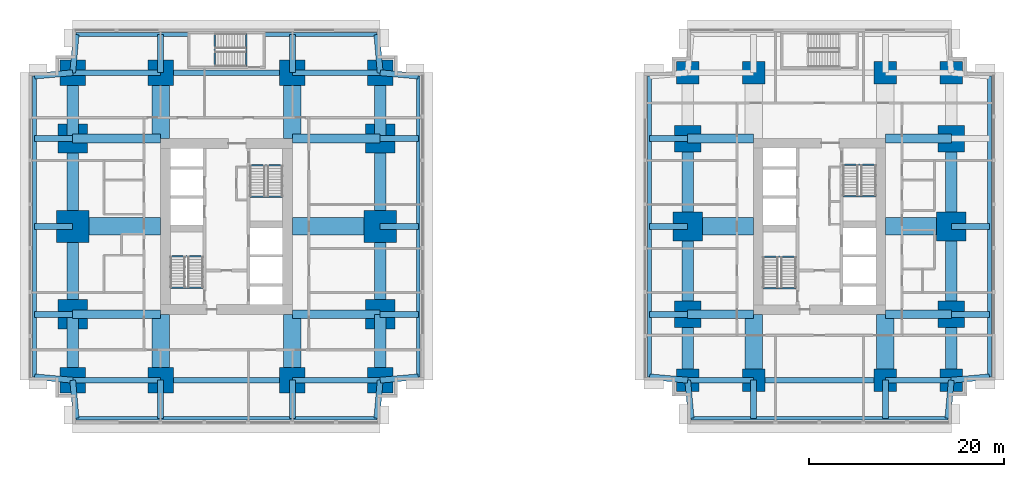
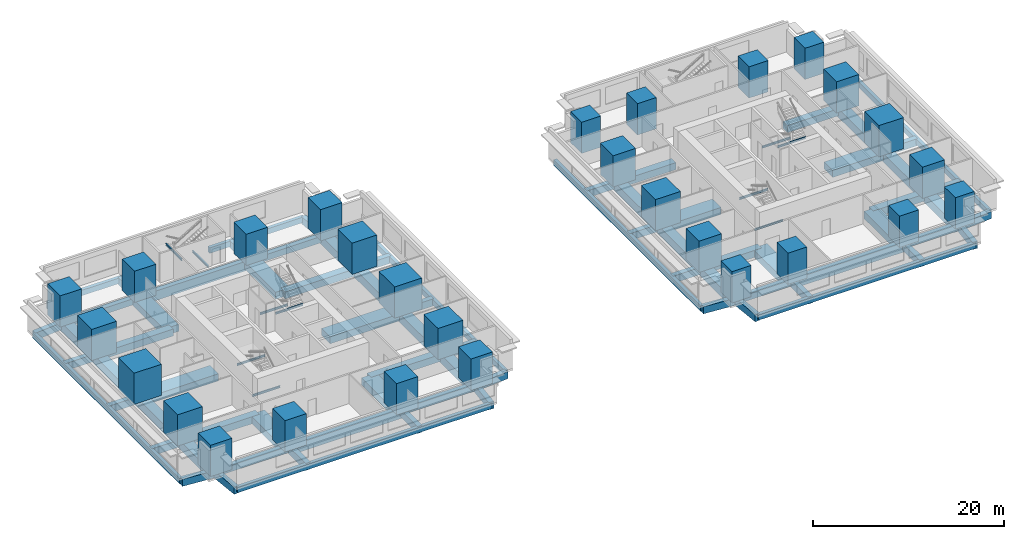
# One storey, part 1 of 11: 88 beams, 28 columns.
"""IFC4 building model written with IfcOpenShell, lengths in metres."""

from ifc_helpers import new_model, si_unit, direction, frame, origin, origin_2d, place, context, subcontext, project, spatial, rectangle, i_section, extrude, material, material_profile, profile_set, type_object, element, save


model = new_model("IFC4")

# Units and contexts
model_context = context("Model", 3, precision=1e-05, world=origin(), true_north=direction((0.0, 1.0)))
body_context = subcontext(model_context, "Body", "Model", "MODEL_VIEW")
ifc_project = project(units=[si_unit("LENGTHUNIT", "METRE"), si_unit("AREAUNIT", "SQUARE_METRE"), si_unit("VOLUMEUNIT", "CUBIC_METRE"), si_unit("PLANEANGLEUNIT", "RADIAN"), si_unit("MASSUNIT", "GRAM", prefix="KILO")], contexts=[model_context])

# Site, building, storey
site_placement = place(None, origin())
site = spatial("IfcSite", under=ifc_project, at=site_placement, CompositionType="ELEMENT")
building_placement = place(site_placement, origin())
building = spatial("IfcBuilding", under=site, at=building_placement, Name="Namib Vertical Campus", CompositionType="ELEMENT")
storey_placement = place(building_placement, frame((0.0, 0.0, 33.0)))
storey = spatial("IfcBuildingStorey", under=building, at=storey_placement, Name="L07", CompositionType="ELEMENT", Elevation=33.0)

# Columns
ifc_material_1 = material(Name="Concrete C60/75", Category="concrete")
ifc_material_profile_1 = material_profile(ifc_material_1, rectangle(XDim=2.300048828125, YDim=2.300048828125, at=origin_2d()))
ifc_profile_set_1 = profile_set([ifc_material_profile_1], Name="Concrete C60/75")
column_type_1 = type_object("IfcColumnType", Name="Column RC 2300x2300", PredefinedType="COLUMN", material=ifc_profile_set_1)
for number, where, z_axis, x_axis, name in (
    (1, (67.5, 4.5, 0.0), (0.0, 0.0, 1.0), (1.0, 0.0, 0.0), "Column C230 L07"),
    (2, (74.25, 4.5, 0.0), (0.0, 0.0, 1.0), (1.0, 0.0, 0.0), "Column C230 L07"),
    (3, (87.75, 4.5, 0.0), (0.0, 0.0, 1.0), (1.0, 0.0, 0.0), "Column C230 L07"),
    (4, (94.5, 4.5, 0.0), (0.0, 0.0, 1.0), (1.0, 0.0, 0.0), "Column C230 L07"),
    (5, (67.5, 36.0, 0.0), (0.0, 0.0, 1.0), (1.0, 0.0, 0.0), "Column C230 L07"),
    (6, (74.25, 36.0, 0.0), (0.0, 0.0, 1.0), (1.0, 0.0, 0.0), "Column C230 L07"),
    (7, (87.75, 36.0, 0.0), (0.0, 0.0, 1.0), (1.0, 0.0, 0.0), "Column C230 L07"),
    (8, (94.5, 36.0, 0.0), (0.0, 0.0, 1.0), (1.0, 0.0, 0.0), "Column C230 L07"),
):
    element("IfcColumn", number, at=place(storey_placement, frame(where, z_axis=z_axis, x_axis=x_axis)), inside=storey, type_object=column_type_1, Name=name, PredefinedType="COLUMN", context=body_context, shape_type="SweptSolid", body=[
        extrude(rectangle(XDim=2.300048828125, YDim=2.300048828125, at=origin_2d()), origin(), (0.0, 0.0, 1.0), 4.0),
    ])
ifc_material_2 = material(Name="Concrete C60/75", Category="concrete")
ifc_material_profile_2 = material_profile(ifc_material_2, rectangle(XDim=2.60009765625, YDim=2.60009765625, at=origin_2d()))
ifc_profile_set_2 = profile_set([ifc_material_profile_2], Name="Concrete C60/75")
column_type_2 = type_object("IfcColumnType", Name="Column RC 2600x2600", PredefinedType="COLUMN", material=ifc_profile_set_2)
for number, where, z_axis, x_axis, name in (
    (9, (4.5, 4.5, 0.0), (0.0, 0.0, 1.0), (1.0, 0.0, 0.0), "Column C260 L07"),
    (10, (13.5, 4.5, 0.0), (0.0, 0.0, 1.0), (1.0, 0.0, 0.0), "Column C260 L07"),
    (11, (27.0, 4.5, 0.0), (0.0, 0.0, 1.0), (1.0, 0.0, 0.0), "Column C260 L07"),
    (12, (36.0, 4.5, 0.0), (0.0, 0.0, 1.0), (1.0, 0.0, 0.0), "Column C260 L07"),
    (13, (4.5, 36.0, 0.0), (0.0, 0.0, 1.0), (1.0, 0.0, 0.0), "Column C260 L07"),
    (14, (13.5, 36.0, 0.0), (0.0, 0.0, 1.0), (1.0, 0.0, 0.0), "Column C260 L07"),
    (15, (27.0, 36.0, 0.0), (0.0, 0.0, 1.0), (1.0, 0.0, 0.0), "Column C260 L07"),
    (16, (36.0, 36.0, 0.0), (0.0, 0.0, 1.0), (1.0, 0.0, 0.0), "Column C260 L07"),
):
    element("IfcColumn", number, at=place(storey_placement, frame(where, z_axis=z_axis, x_axis=x_axis)), inside=storey, type_object=column_type_2, Name=name, PredefinedType="COLUMN", context=body_context, shape_type="SweptSolid", body=[
        extrude(rectangle(XDim=2.60009765625, YDim=2.60009765625, at=origin_2d()), origin(), (0.0, 0.0, 1.0), 4.0),
    ])
ifc_material_3 = material(Name="Concrete C60/75", Category="concrete")
ifc_material_profile_3 = material_profile(ifc_material_3, rectangle(XDim=2.699951171875, YDim=2.699951171875, at=origin_2d()))
ifc_profile_set_3 = profile_set([ifc_material_profile_3], Name="Concrete C60/75")
column_type_3 = type_object("IfcColumnType", Name="Column RC 2700x2700", PredefinedType="COLUMN", material=ifc_profile_set_3)
for number, where, z_axis, x_axis, name in (
    (17, (67.5, 11.25, 0.0), (0.0, 0.0, 1.0), (1.0, 0.0, 0.0), "Column C270 L07"),
    (18, (94.5, 11.25, 0.0), (0.0, 0.0, 1.0), (1.0, 0.0, 0.0), "Column C270 L07"),
    (19, (67.5, 29.25, 0.0), (0.0, 0.0, 1.0), (1.0, 0.0, 0.0), "Column C270 L07"),
    (20, (94.5, 29.25, 0.0), (0.0, 0.0, 1.0), (1.0, 0.0, 0.0), "Column C270 L07"),
):
    element("IfcColumn", number, at=place(storey_placement, frame(where, z_axis=z_axis, x_axis=x_axis)), inside=storey, type_object=column_type_3, Name=name, PredefinedType="COLUMN", context=body_context, shape_type="SweptSolid", body=[
        extrude(rectangle(XDim=2.699951171875, YDim=2.699951171875, at=origin_2d()), origin(), (0.0, 0.0, 1.0), 4.0),
    ])
ifc_material_4 = material(Name="Concrete C60/75", Category="concrete")
ifc_material_profile_4 = material_profile(ifc_material_4, rectangle(XDim=3.0, YDim=3.0, at=origin_2d()))
ifc_profile_set_4 = profile_set([ifc_material_profile_4], Name="Concrete C60/75")
column_type_4 = type_object("IfcColumnType", Name="Column RC 3000x3000", PredefinedType="COLUMN", material=ifc_profile_set_4)
for number, where, z_axis, x_axis, name in (
    (21, (4.5, 11.25, 0.0), (0.0, 0.0, 1.0), (1.0, 0.0, 0.0), "Column C300 L07"),
    (22, (36.0, 11.25, 0.0), (0.0, 0.0, 1.0), (1.0, 0.0, 0.0), "Column C300 L07"),
    (23, (4.5, 29.25, 0.0), (0.0, 0.0, 1.0), (1.0, 0.0, 0.0), "Column C300 L07"),
    (24, (36.0, 29.25, 0.0), (0.0, 0.0, 1.0), (1.0, 0.0, 0.0), "Column C300 L07"),
    (25, (67.5, 20.25, 0.0), (0.0, 0.0, 1.0), (1.0, 0.0, 0.0), "Column C300 L07"),
    (26, (94.5, 20.25, 0.0), (0.0, 0.0, 1.0), (1.0, 0.0, 0.0), "Column C300 L07"),
):
    element("IfcColumn", number, at=place(storey_placement, frame(where, z_axis=z_axis, x_axis=x_axis)), inside=storey, type_object=column_type_4, Name=name, PredefinedType="COLUMN", context=body_context, shape_type="SweptSolid", body=[
        extrude(rectangle(XDim=3.0, YDim=3.0, at=origin_2d()), origin(), (0.0, 0.0, 1.0), 4.0),
    ])
ifc_material_5 = material(Name="Concrete C60/75", Category="concrete")
ifc_material_profile_5 = material_profile(ifc_material_5, rectangle(XDim=3.300048828125, YDim=3.300048828125, at=origin_2d()))
ifc_profile_set_5 = profile_set([ifc_material_profile_5], Name="Concrete C60/75")
column_type_5 = type_object("IfcColumnType", Name="Column RC 3300x3300", PredefinedType="COLUMN", material=ifc_profile_set_5)
for number, where, z_axis, x_axis, name in (
    (27, (4.5, 20.25, 0.0), (0.0, 0.0, 1.0), (1.0, 0.0, 0.0), "Column C330 L07"),
    (28, (36.0, 20.25, 0.0), (0.0, 0.0, 1.0), (1.0, 0.0, 0.0), "Column C330 L07"),
):
    element("IfcColumn", number, at=place(storey_placement, frame(where, z_axis=z_axis, x_axis=x_axis)), inside=storey, type_object=column_type_5, Name=name, PredefinedType="COLUMN", context=body_context, shape_type="SweptSolid", body=[
        extrude(rectangle(XDim=3.300048828125, YDim=3.300048828125, at=origin_2d()), origin(), (0.0, 0.0, 1.0), 4.0),
    ])

# Beams
ifc_material_6 = material(Name="Concrete C40/50", Category="concrete")
ifc_material_profile_6 = material_profile(ifc_material_6, rectangle(XDim=0.60009765625, YDim=0.89990234375, at=origin_2d()))
ifc_profile_set_6 = profile_set([ifc_material_profile_6], Name="Concrete C40/50")
beam_type_1 = type_object("IfcBeamType", Name="Cantilever girder RC 600x900", PredefinedType="BEAM", material=ifc_profile_set_6)
beam_1_placement = place(storey_placement, frame((4.5, 4.5, -0.699951171875), z_axis=(0.089411326146, -0.995994786511, 0.0), x_axis=(0.995994786511, 0.089411326146, 0.0)))
element("IfcBeam", 29, at=beam_1_placement, inside=storey, type_object=beam_type_1, Name="Beam B3 L07", PredefinedType="BEAM", context=body_context, shape_type="SweptSolid", body=[
    extrude(rectangle(XDim=0.60009765625, YDim=0.89990234375, at=origin_2d()), origin(), (0.0, 0.0, 1.0), 3.91552734375),
])
for number, where, z_axis, x_axis, name in (
    (30, (13.5, 4.5, -0.699951171875), (0.0, -1.0, 0.0), (1.0, 0.0, 0.0), "Beam B3 L07"),
    (31, (27.0, 4.5, -0.699951171875), (0.0, -1.0, 0.0), (1.0, 0.0, 0.0), "Beam B3 L07"),
):
    element("IfcBeam", number, at=place(storey_placement, frame(where, z_axis=z_axis, x_axis=x_axis)), inside=storey, type_object=beam_type_1, Name=name, PredefinedType="BEAM", context=body_context, shape_type="SweptSolid", body=[
        extrude(rectangle(XDim=0.60009765625, YDim=0.89990234375, at=origin_2d()), origin(), (0.0, 0.0, 1.0), 3.89990234375),
    ])
for number, where, z_axis, x_axis, name in (
    (32, (36.0, 4.5, -0.699951171875), (-0.089411326146, -0.995994786511, 0.0), (0.995994786511, -0.089411326146, 0.0), "Beam B3 L07"),
    (33, (4.5, 36.0, -0.699951171875), (0.089411326146, 0.995994786511, 0.0), (-0.995994786511, 0.089411326146, 0.0), "Beam B3 L07"),
):
    element("IfcBeam", number, at=place(storey_placement, frame(where, z_axis=z_axis, x_axis=x_axis)), inside=storey, type_object=beam_type_1, Name=name, PredefinedType="BEAM", context=body_context, shape_type="SweptSolid", body=[
        extrude(rectangle(XDim=0.60009765625, YDim=0.89990234375, at=origin_2d()), origin(), (0.0, 0.0, 1.0), 3.91552734375),
    ])
for number, where, z_axis, x_axis, name in (
    (34, (13.5, 36.0, -0.699951171875), (0.0, 1.0, 0.0), (-1.0, 0.0, 0.0), "Beam B3 L07"),
    (35, (27.0, 36.0, -0.699951171875), (0.0, 1.0, 0.0), (-1.0, 0.0, 0.0), "Beam B3 L07"),
):
    element("IfcBeam", number, at=place(storey_placement, frame(where, z_axis=z_axis, x_axis=x_axis)), inside=storey, type_object=beam_type_1, Name=name, PredefinedType="BEAM", context=body_context, shape_type="SweptSolid", body=[
        extrude(rectangle(XDim=0.60009765625, YDim=0.89990234375, at=origin_2d()), origin(), (0.0, 0.0, 1.0), 3.89990234375),
    ])
for number, where, z_axis, x_axis, name in (
    (36, (36.0, 36.0, -0.699951171875), (-0.089411326146, 0.995994786511, 0.0), (-0.995994786511, -0.089411326146, 0.0), "Beam B3 L07"),
    (37, (4.5, 4.5, -0.699951171875), (-0.995994786511, 0.089411326146, 0.0), (-0.089411326146, -0.995994786511, 0.0), "Beam B3 L07"),
):
    element("IfcBeam", number, at=place(storey_placement, frame(where, z_axis=z_axis, x_axis=x_axis)), inside=storey, type_object=beam_type_1, Name=name, PredefinedType="BEAM", context=body_context, shape_type="SweptSolid", body=[
        extrude(rectangle(XDim=0.60009765625, YDim=0.89990234375, at=origin_2d()), origin(), (0.0, 0.0, 1.0), 3.91552734375),
    ])
for number, where, z_axis, x_axis, name in (
    (38, (4.5, 11.25, -0.699951171875), (-1.0, 0.0, 0.0), (0.0, -1.0, 0.0), "Beam B3 L07"),
    (39, (4.5, 20.25, -0.699951171875), (-1.0, 0.0, 0.0), (0.0, -1.0, 0.0), "Beam B3 L07"),
    (40, (4.5, 29.25, -0.699951171875), (-1.0, 0.0, 0.0), (0.0, -1.0, 0.0), "Beam B3 L07"),
):
    element("IfcBeam", number, at=place(storey_placement, frame(where, z_axis=z_axis, x_axis=x_axis)), inside=storey, type_object=beam_type_1, Name=name, PredefinedType="BEAM", context=body_context, shape_type="SweptSolid", body=[
        extrude(rectangle(XDim=0.60009765625, YDim=0.89990234375, at=origin_2d()), origin(), (0.0, 0.0, 1.0), 3.89990234375),
    ])
for number, where, z_axis, x_axis, name in (
    (41, (4.5, 36.0, -0.699951171875), (-0.995994786511, -0.089411326146, 0.0), (0.089411326146, -0.995994786511, 0.0), "Beam B3 L07"),
    (42, (36.0, 4.5, -0.699951171875), (0.995994786511, 0.089411326146, 0.0), (-0.089411326146, 0.995994786511, 0.0), "Beam B3 L07"),
):
    element("IfcBeam", number, at=place(storey_placement, frame(where, z_axis=z_axis, x_axis=x_axis)), inside=storey, type_object=beam_type_1, Name=name, PredefinedType="BEAM", context=body_context, shape_type="SweptSolid", body=[
        extrude(rectangle(XDim=0.60009765625, YDim=0.89990234375, at=origin_2d()), origin(), (0.0, 0.0, 1.0), 3.91552734375),
    ])
for number, where, z_axis, x_axis, name in (
    (43, (36.0, 11.25, -0.699951171875), (1.0, 0.0, 0.0), (0.0, 1.0, 0.0), "Beam B3 L07"),
    (44, (36.0, 20.25, -0.699951171875), (1.0, 0.0, 0.0), (0.0, 1.0, 0.0), "Beam B3 L07"),
    (45, (36.0, 29.25, -0.699951171875), (1.0, 0.0, 0.0), (0.0, 1.0, 0.0), "Beam B3 L07"),
):
    element("IfcBeam", number, at=place(storey_placement, frame(where, z_axis=z_axis, x_axis=x_axis)), inside=storey, type_object=beam_type_1, Name=name, PredefinedType="BEAM", context=body_context, shape_type="SweptSolid", body=[
        extrude(rectangle(XDim=0.60009765625, YDim=0.89990234375, at=origin_2d()), origin(), (0.0, 0.0, 1.0), 3.89990234375),
    ])
for number, where, z_axis, x_axis, name in (
    (46, (36.0, 36.0, -0.699951171875), (0.995994786511, -0.089411326146, 0.0), (0.089411326146, 0.995994786511, 0.0), "Beam B3 L07"),
    (47, (67.5, 4.5, -0.699951171875), (0.089411326146, -0.995994786511, 0.0), (0.995994786511, 0.089411326146, 0.0), "Beam B3 L07"),
):
    element("IfcBeam", number, at=place(storey_placement, frame(where, z_axis=z_axis, x_axis=x_axis)), inside=storey, type_object=beam_type_1, Name=name, PredefinedType="BEAM", context=body_context, shape_type="SweptSolid", body=[
        extrude(rectangle(XDim=0.60009765625, YDim=0.89990234375, at=origin_2d()), origin(), (0.0, 0.0, 1.0), 3.91552734375),
    ])
for number, where, z_axis, x_axis, name in (
    (48, (74.25, 4.5, -0.699951171875), (0.0, -1.0, 0.0), (1.0, 0.0, 0.0), "Beam B3 L07"),
    (49, (87.75, 4.5, -0.699951171875), (0.0, -1.0, 0.0), (1.0, 0.0, 0.0), "Beam B3 L07"),
):
    element("IfcBeam", number, at=place(storey_placement, frame(where, z_axis=z_axis, x_axis=x_axis)), inside=storey, type_object=beam_type_1, Name=name, PredefinedType="BEAM", context=body_context, shape_type="SweptSolid", body=[
        extrude(rectangle(XDim=0.60009765625, YDim=0.89990234375, at=origin_2d()), origin(), (0.0, 0.0, 1.0), 3.89990234375),
    ])
for number, where, z_axis, x_axis, name in (
    (50, (94.5, 4.5, -0.699951171875), (-0.089411326146, -0.995994786511, 0.0), (0.995994786511, -0.089411326146, 0.0), "Beam B3 L07"),
    (51, (67.5, 4.5, -0.699951171875), (-0.995994786511, 0.089411326146, 0.0), (-0.089411326146, -0.995994786511, 0.0), "Beam B3 L07"),
):
    element("IfcBeam", number, at=place(storey_placement, frame(where, z_axis=z_axis, x_axis=x_axis)), inside=storey, type_object=beam_type_1, Name=name, PredefinedType="BEAM", context=body_context, shape_type="SweptSolid", body=[
        extrude(rectangle(XDim=0.60009765625, YDim=0.89990234375, at=origin_2d()), origin(), (0.0, 0.0, 1.0), 3.91552734375),
    ])
for number, where, z_axis, x_axis, name in (
    (52, (67.5, 11.25, -0.699951171875), (-1.0, 0.0, 0.0), (0.0, -1.0, 0.0), "Beam B3 L07"),
    (53, (67.5, 20.25, -0.699951171875), (-1.0, 0.0, 0.0), (0.0, -1.0, 0.0), "Beam B3 L07"),
    (54, (67.5, 29.25, -0.699951171875), (-1.0, 0.0, 0.0), (0.0, -1.0, 0.0), "Beam B3 L07"),
):
    element("IfcBeam", number, at=place(storey_placement, frame(where, z_axis=z_axis, x_axis=x_axis)), inside=storey, type_object=beam_type_1, Name=name, PredefinedType="BEAM", context=body_context, shape_type="SweptSolid", body=[
        extrude(rectangle(XDim=0.60009765625, YDim=0.89990234375, at=origin_2d()), origin(), (0.0, 0.0, 1.0), 3.89990234375),
    ])
beam_2_placement = place(storey_placement, frame((94.5, 4.5, -0.699951171875), z_axis=(0.995994786511, 0.089411326146, 0.0), x_axis=(-0.089411326146, 0.995994786511, 0.0)))
element("IfcBeam", 55, at=beam_2_placement, inside=storey, type_object=beam_type_1, Name="Beam B3 L07", PredefinedType="BEAM", context=body_context, shape_type="SweptSolid", body=[
    extrude(rectangle(XDim=0.60009765625, YDim=0.89990234375, at=origin_2d()), origin(), (0.0, 0.0, 1.0), 3.91552734375),
])
for number, where, z_axis, x_axis, name in (
    (56, (94.5, 11.25, -0.699951171875), (1.0, 0.0, 0.0), (0.0, 1.0, 0.0), "Beam B3 L07"),
    (57, (94.5, 20.25, -0.699951171875), (1.0, 0.0, 0.0), (0.0, 1.0, 0.0), "Beam B3 L07"),
):
    element("IfcBeam", number, at=place(storey_placement, frame(where, z_axis=z_axis, x_axis=x_axis)), inside=storey, type_object=beam_type_1, Name=name, PredefinedType="BEAM", context=body_context, shape_type="SweptSolid", body=[
        extrude(rectangle(XDim=0.60009765625, YDim=0.89990234375, at=origin_2d()), origin(), (0.0, 0.0, 1.0), 3.89990234375),
    ])
ifc_material_7 = material(Name="Concrete C40/50", Category="concrete")
ifc_material_profile_7 = material_profile(ifc_material_7, rectangle(XDim=0.39990234375, YDim=0.699951171875, at=origin_2d()))
ifc_profile_set_7 = profile_set([ifc_material_profile_7], Name="Concrete C40/50")
beam_type_2 = type_object("IfcBeamType", Name="Edge beam RC 400x700", PredefinedType="SPANDREL", material=ifc_profile_set_7)
beam_3_placement = place(storey_placement, frame((4.85009765625, 0.60009765625, -0.60009765625), z_axis=(1.0, 0.0, 0.0), x_axis=(0.0, 1.0, 0.0)))
element("IfcBeam", 58, at=beam_3_placement, inside=storey, type_object=beam_type_2, Name="Beam B4 L07", PredefinedType="SPANDREL", context=body_context, shape_type="SweptSolid", body=[
    extrude(rectangle(XDim=0.39990234375, YDim=0.699951171875, at=origin_2d()), origin(), (0.0, 0.0, 1.0), 30.7998046875),
])
for number, where, z_axis, x_axis, name in (
    (59, (4.85009765625, 39.89990234375, -0.60009765625), (1.0, 0.0, 0.0), (0.0, 1.0, 0.0), "Beam B4 L07"),
    (60, (24.199951171875, 39.89990234375, -0.60009765625), (1.0, 0.0, 0.0), (0.0, 1.0, 0.0), "Beam B4 L07"),
):
    element("IfcBeam", number, at=place(storey_placement, frame(where, z_axis=z_axis, x_axis=x_axis)), inside=storey, type_object=beam_type_2, Name=name, PredefinedType="SPANDREL", context=body_context, shape_type="SweptSolid", body=[
        extrude(rectangle(XDim=0.39990234375, YDim=0.699951171875, at=origin_2d()), origin(), (0.0, 0.0, 1.0), 11.449951171875),
    ])
for number, where, z_axis, x_axis, name in (
    (61, (0.60009765625, 4.85009765625, -0.60009765625), (0.0, 1.0, 0.0), (-1.0, 0.0, 0.0), "Beam B4 L07"),
    (62, (39.89990234375, 4.85009765625, -0.60009765625), (0.0, 1.0, 0.0), (-1.0, 0.0, 0.0), "Beam B4 L07"),
):
    element("IfcBeam", number, at=place(storey_placement, frame(where, z_axis=z_axis, x_axis=x_axis)), inside=storey, type_object=beam_type_2, Name=name, PredefinedType="SPANDREL", context=body_context, shape_type="SweptSolid", body=[
        extrude(rectangle(XDim=0.39990234375, YDim=0.699951171875, at=origin_2d()), origin(), (0.0, 0.0, 1.0), 30.7998046875),
    ])
beam_4_placement = place(storey_placement, frame((67.85009765625, 0.60009765625, -0.60009765625), z_axis=(1.0, 0.0, 0.0), x_axis=(0.0, 1.0, 0.0)))
element("IfcBeam", 63, at=beam_4_placement, inside=storey, type_object=beam_type_2, Name="Beam B4 L07", PredefinedType="SPANDREL", context=body_context, shape_type="SweptSolid", body=[
    extrude(rectangle(XDim=0.39990234375, YDim=0.699951171875, at=origin_2d()), origin(), (0.0, 0.0, 1.0), 26.2998046875),
])
for number, where, z_axis, x_axis, name in (
    (64, (63.60009765625, 4.85009765625, -0.60009765625), (0.0, 1.0, 0.0), (-1.0, 0.0, 0.0), "Beam B4 L07"),
    (65, (98.39990234375, 4.85009765625, -0.60009765625), (0.0, 1.0, 0.0), (-1.0, 0.0, 0.0), "Beam B4 L07"),
):
    element("IfcBeam", number, at=place(storey_placement, frame(where, z_axis=z_axis, x_axis=x_axis)), inside=storey, type_object=beam_type_2, Name=name, PredefinedType="SPANDREL", context=body_context, shape_type="SweptSolid", body=[
        extrude(rectangle(XDim=0.39990234375, YDim=0.699951171875, at=origin_2d()), origin(), (0.0, 0.0, 1.0), 30.7998046875),
    ])
ifc_material_8 = material(Name="Concrete C40/50", Category="concrete")
ifc_material_profile_8 = material_profile(ifc_material_8, rectangle(XDim=0.89990234375, YDim=0.89990234375, at=origin_2d()))
ifc_profile_set_8 = profile_set([ifc_material_profile_8], Name="Concrete C40/50")
beam_type_3 = type_object("IfcBeamType", Name="Face girder RC 900x900", PredefinedType="BEAM", material=ifc_profile_set_8)
for number, where, z_axis, x_axis, name in (
    (66, (4.5, 11.25, -0.699951171875), (1.0, 0.0, 0.0), (0.0, 1.0, 0.0), "Beam B10 L07"),
    (67, (36.0, 11.25, -0.699951171875), (-1.0, 0.0, 0.0), (0.0, -1.0, 0.0), "Beam B10 L07"),
    (68, (4.5, 29.25, -0.699951171875), (1.0, 0.0, 0.0), (0.0, 1.0, 0.0), "Beam B10 L07"),
    (69, (36.0, 29.25, -0.699951171875), (-1.0, 0.0, 0.0), (0.0, -1.0, 0.0), "Beam B10 L07"),
):
    element("IfcBeam", number, at=place(storey_placement, frame(where, z_axis=z_axis, x_axis=x_axis)), inside=storey, type_object=beam_type_3, Name=name, PredefinedType="BEAM", context=body_context, shape_type="SweptSolid", body=[
        extrude(rectangle(XDim=0.89990234375, YDim=0.89990234375, at=origin_2d()), origin(), (0.0, 0.0, 1.0), 9.0),
    ])
for number, where, z_axis, x_axis, name in (
    (70, (67.5, 11.25, -0.699951171875), (1.0, 0.0, 0.0), (0.0, 1.0, 0.0), "Beam B10 L07"),
    (71, (94.5, 11.25, -0.699951171875), (-1.0, 0.0, 0.0), (0.0, -1.0, 0.0), "Beam B10 L07"),
    (72, (67.5, 29.25, -0.699951171875), (1.0, 0.0, 0.0), (0.0, 1.0, 0.0), "Beam B10 L07"),
    (73, (94.5, 29.25, -0.699951171875), (-1.0, 0.0, 0.0), (0.0, -1.0, 0.0), "Beam B10 L07"),
):
    element("IfcBeam", number, at=place(storey_placement, frame(where, z_axis=z_axis, x_axis=x_axis)), inside=storey, type_object=beam_type_3, Name=name, PredefinedType="BEAM", context=body_context, shape_type="SweptSolid", body=[
        extrude(rectangle(XDim=0.89990234375, YDim=0.89990234375, at=origin_2d()), origin(), (0.0, 0.0, 1.0), 6.75),
    ])
ifc_material_9 = material(Name="Concrete C40/50", Category="concrete")
ifc_material_profile_9 = material_profile(ifc_material_9, rectangle(XDim=1.199951171875, YDim=1.10009765625, at=origin_2d()))
ifc_profile_set_9 = profile_set([ifc_material_profile_9], Name="Concrete C40/50")
beam_type_4 = type_object("IfcBeamType", Name="Face ring beam RC 1200x1100", PredefinedType="BEAM", material=ifc_profile_set_9)
beam_5_placement = place(storey_placement, frame((4.5, 4.5, -0.800048828125), z_axis=(0.0, 1.0, 0.0), x_axis=(-1.0, 0.0, 0.0)))
element("IfcBeam", 74, at=beam_5_placement, inside=storey, type_object=beam_type_4, Name="Beam B11 L07", PredefinedType="BEAM", context=body_context, shape_type="SweptSolid", body=[
    extrude(rectangle(XDim=1.199951171875, YDim=1.10009765625, at=origin_2d()), origin(), (0.0, 0.0, 1.0), 6.75),
])
for number, where, z_axis, x_axis, name in (
    (75, (4.5, 11.25, -0.800048828125), (0.0, 1.0, 0.0), (-1.0, 0.0, 0.0), "Beam B11 L07"),
    (76, (4.5, 20.25, -0.800048828125), (0.0, 1.0, 0.0), (-1.0, 0.0, 0.0), "Beam B11 L07"),
):
    element("IfcBeam", number, at=place(storey_placement, frame(where, z_axis=z_axis, x_axis=x_axis)), inside=storey, type_object=beam_type_4, Name=name, PredefinedType="BEAM", context=body_context, shape_type="SweptSolid", body=[
        extrude(rectangle(XDim=1.199951171875, YDim=1.10009765625, at=origin_2d()), origin(), (0.0, 0.0, 1.0), 9.0),
    ])
for number, where, z_axis, x_axis, name in (
    (77, (4.5, 29.25, -0.800048828125), (0.0, 1.0, 0.0), (-1.0, 0.0, 0.0), "Beam B11 L07"),
    (78, (36.0, 4.5, -0.800048828125), (0.0, 1.0, 0.0), (-1.0, 0.0, 0.0), "Beam B11 L07"),
):
    element("IfcBeam", number, at=place(storey_placement, frame(where, z_axis=z_axis, x_axis=x_axis)), inside=storey, type_object=beam_type_4, Name=name, PredefinedType="BEAM", context=body_context, shape_type="SweptSolid", body=[
        extrude(rectangle(XDim=1.199951171875, YDim=1.10009765625, at=origin_2d()), origin(), (0.0, 0.0, 1.0), 6.75),
    ])
for number, where, z_axis, x_axis, name in (
    (79, (36.0, 11.25, -0.800048828125), (0.0, 1.0, 0.0), (-1.0, 0.0, 0.0), "Beam B11 L07"),
    (80, (36.0, 20.25, -0.800048828125), (0.0, 1.0, 0.0), (-1.0, 0.0, 0.0), "Beam B11 L07"),
):
    element("IfcBeam", number, at=place(storey_placement, frame(where, z_axis=z_axis, x_axis=x_axis)), inside=storey, type_object=beam_type_4, Name=name, PredefinedType="BEAM", context=body_context, shape_type="SweptSolid", body=[
        extrude(rectangle(XDim=1.199951171875, YDim=1.10009765625, at=origin_2d()), origin(), (0.0, 0.0, 1.0), 9.0),
    ])
for number, where, z_axis, x_axis, name in (
    (81, (36.0, 29.25, -0.800048828125), (0.0, 1.0, 0.0), (-1.0, 0.0, 0.0), "Beam B11 L07"),
    (82, (67.5, 4.5, -0.800048828125), (0.0, 1.0, 0.0), (-1.0, 0.0, 0.0), "Beam B11 L07"),
):
    element("IfcBeam", number, at=place(storey_placement, frame(where, z_axis=z_axis, x_axis=x_axis)), inside=storey, type_object=beam_type_4, Name=name, PredefinedType="BEAM", context=body_context, shape_type="SweptSolid", body=[
        extrude(rectangle(XDim=1.199951171875, YDim=1.10009765625, at=origin_2d()), origin(), (0.0, 0.0, 1.0), 6.75),
    ])
for number, where, z_axis, x_axis, name in (
    (83, (67.5, 11.25, -0.800048828125), (0.0, 1.0, 0.0), (-1.0, 0.0, 0.0), "Beam B11 L07"),
    (84, (67.5, 20.25, -0.800048828125), (0.0, 1.0, 0.0), (-1.0, 0.0, 0.0), "Beam B11 L07"),
):
    element("IfcBeam", number, at=place(storey_placement, frame(where, z_axis=z_axis, x_axis=x_axis)), inside=storey, type_object=beam_type_4, Name=name, PredefinedType="BEAM", context=body_context, shape_type="SweptSolid", body=[
        extrude(rectangle(XDim=1.199951171875, YDim=1.10009765625, at=origin_2d()), origin(), (0.0, 0.0, 1.0), 9.0),
    ])
beam_6_placement = place(storey_placement, frame((94.5, 4.5, -0.800048828125), z_axis=(0.0, 1.0, 0.0), x_axis=(-1.0, 0.0, 0.0)))
element("IfcBeam", 85, at=beam_6_placement, inside=storey, type_object=beam_type_4, Name="Beam B11 L07", PredefinedType="BEAM", context=body_context, shape_type="SweptSolid", body=[
    extrude(rectangle(XDim=1.199951171875, YDim=1.10009765625, at=origin_2d()), origin(), (0.0, 0.0, 1.0), 6.75),
])
for number, where, z_axis, x_axis, name in (
    (86, (94.5, 11.25, -0.800048828125), (0.0, 1.0, 0.0), (-1.0, 0.0, 0.0), "Beam B11 L07"),
    (87, (94.5, 20.25, -0.800048828125), (0.0, 1.0, 0.0), (-1.0, 0.0, 0.0), "Beam B11 L07"),
):
    element("IfcBeam", number, at=place(storey_placement, frame(where, z_axis=z_axis, x_axis=x_axis)), inside=storey, type_object=beam_type_4, Name=name, PredefinedType="BEAM", context=body_context, shape_type="SweptSolid", body=[
        extrude(rectangle(XDim=1.199951171875, YDim=1.10009765625, at=origin_2d()), origin(), (0.0, 0.0, 1.0), 9.0),
    ])
ifc_material_10 = material(Name="Steel S355JR", Category="steel")
ifc_material_profile_10 = material_profile(ifc_material_10, i_section(OverallWidth=0.14599609375, OverallDepth=0.25146484375, WebThickness=0.006103515625, FlangeThickness=0.008544921875, FilletRadius=0.007568359375, at=origin_2d()))
ifc_profile_set_10 = profile_set([ifc_material_profile_10], Name="Steel S355JR")
beam_type_5 = type_object("IfcBeamType", Name="Landing trimmer UB 254x146x31", PredefinedType="BEAM", material=ifc_profile_set_10)
for number, where, z_axis, x_axis, name in (
    (88, (14.5, 13.97705078125, -0.125732421875), (1.0, 0.0, 0.0), (0.0, 1.0, 0.0), "Landing trimmer LT1 A-S1 L07 1"),
    (89, (14.5, 17.203125, 1.874267578125), (1.0, 0.0, 0.0), (0.0, 1.0, 0.0), "Landing trimmer LT1 A-S1 L07 2"),
    (90, (22.64990234375, 26.52294921875, -0.125732421875), (1.0, 0.0, 0.0), (0.0, 1.0, 0.0), "Landing trimmer LT1 A-S2 L07 1"),
    (91, (22.64990234375, 23.296875, 1.874267578125), (1.0, 0.0, 0.0), (0.0, 1.0, 0.0), "Landing trimmer LT1 A-S2 L07 2"),
):
    element("IfcBeam", number, at=place(storey_placement, frame(where, z_axis=z_axis, x_axis=x_axis)), inside=storey, type_object=beam_type_5, Name=name, PredefinedType="BEAM", context=body_context, shape_type="SweptSolid", body=[
        extrude(i_section(OverallWidth=0.14599609375, OverallDepth=0.25146484375, WebThickness=0.006103515625, FlangeThickness=0.008544921875, FilletRadius=0.007568359375, at=origin_2d()), origin(), (0.0, 0.0, 1.0), 3.35009765625),
    ])
for number, where, z_axis, x_axis, name in (
    (92, (75.199951171875, 13.927001953125, -0.125732421875), (1.0, 0.0, 0.0), (0.0, 1.0, 0.0), "Landing trimmer LT1 B-S1 L07 1"),
    (93, (75.199951171875, 17.153076171875, 1.874267578125), (1.0, 0.0, 0.0), (0.0, 1.0, 0.0), "Landing trimmer LT1 B-S1 L07 2"),
    (94, (83.39990234375, 26.572998046875, -0.125732421875), (1.0, 0.0, 0.0), (0.0, 1.0, 0.0), "Landing trimmer LT1 B-S2 L07 1"),
    (95, (83.39990234375, 23.346923828125, 1.874267578125), (1.0, 0.0, 0.0), (0.0, 1.0, 0.0), "Landing trimmer LT1 B-S2 L07 2"),
):
    element("IfcBeam", number, at=place(storey_placement, frame(where, z_axis=z_axis, x_axis=x_axis)), inside=storey, type_object=beam_type_5, Name=name, PredefinedType="BEAM", context=body_context, shape_type="SweptSolid", body=[
        extrude(i_section(OverallWidth=0.14599609375, OverallDepth=0.25146484375, WebThickness=0.006103515625, FlangeThickness=0.008544921875, FilletRadius=0.007568359375, at=origin_2d()), origin(), (0.0, 0.0, 1.0), 3.400146484375),
    ])
for number, where, z_axis, x_axis, name in (
    (96, (22.27294921875, 36.64990234375, -0.125732421875), (0.0, 1.0, 0.0), (-1.0, 0.0, 0.0), "Landing trimmer LT1 A-S3 L07 1"),
    (97, (19.046875, 36.64990234375, 1.874267578125), (0.0, 1.0, 0.0), (-1.0, 0.0, 0.0), "Landing trimmer LT1 A-S3 L07 2"),
):
    element("IfcBeam", number, at=place(storey_placement, frame(where, z_axis=z_axis, x_axis=x_axis)), inside=storey, type_object=beam_type_5, Name=name, PredefinedType="BEAM", context=body_context, shape_type="SweptSolid", body=[
        extrude(i_section(OverallWidth=0.14599609375, OverallDepth=0.25146484375, WebThickness=0.006103515625, FlangeThickness=0.008544921875, FilletRadius=0.007568359375, at=origin_2d()), origin(), (0.0, 0.0, 1.0), 3.35009765625),
    ])
ifc_material_11 = material(Name="Concrete C40/50", Category="concrete")
ifc_material_profile_11 = material_profile(ifc_material_11, rectangle(XDim=0.60009765625, YDim=1.199951171875, at=origin_2d()))
ifc_profile_set_11 = profile_set([ifc_material_profile_11], Name="Concrete C40/50")
beam_type_6 = type_object("IfcBeamType", Name="Long-span ring beam RC 600x1200", PredefinedType="BEAM", material=ifc_profile_set_11)
for number, where, z_axis, x_axis, name in (
    (98, (13.5, 4.5, -0.85009765625), (1.0, 0.0, 0.0), (0.0, 1.0, 0.0), "Beam B9 L07"),
    (99, (13.5, 36.0, -0.85009765625), (1.0, 0.0, 0.0), (0.0, 1.0, 0.0), "Beam B9 L07"),
    (100, (74.25, 4.5, -0.85009765625), (1.0, 0.0, 0.0), (0.0, 1.0, 0.0), "Beam B9 L07"),
):
    element("IfcBeam", number, at=place(storey_placement, frame(where, z_axis=z_axis, x_axis=x_axis)), inside=storey, type_object=beam_type_6, Name=name, PredefinedType="BEAM", context=body_context, shape_type="SweptSolid", body=[
        extrude(rectangle(XDim=0.60009765625, YDim=1.199951171875, at=origin_2d()), origin(), (0.0, 0.0, 1.0), 13.5),
    ])
ifc_material_12 = material(Name="Concrete C40/50", Category="concrete")
ifc_material_profile_12 = material_profile(ifc_material_12, rectangle(XDim=1.800048828125, YDim=0.89990234375, at=origin_2d()))
ifc_profile_set_12 = profile_set([ifc_material_profile_12], Name="Concrete C40/50")
beam_type_7 = type_object("IfcBeamType", Name="Outrigger line girder RC 1800x900", PredefinedType="BEAM", material=ifc_profile_set_12)
for number, where, z_axis, x_axis, name in (
    (101, (13.5, 4.5, -0.699951171875), (0.0, 1.0, 0.0), (-1.0, 0.0, 0.0), "Beam B12 L07"),
    (102, (13.5, 36.0, -0.699951171875), (0.0, -1.0, 0.0), (1.0, 0.0, 0.0), "Beam B12 L07"),
    (103, (27.0, 4.5, -0.699951171875), (0.0, 1.0, 0.0), (-1.0, 0.0, 0.0), "Beam B12 L07"),
    (104, (27.0, 36.0, -0.699951171875), (0.0, -1.0, 0.0), (1.0, 0.0, 0.0), "Beam B12 L07"),
):
    element("IfcBeam", number, at=place(storey_placement, frame(where, z_axis=z_axis, x_axis=x_axis)), inside=storey, type_object=beam_type_7, Name=name, PredefinedType="BEAM", context=body_context, shape_type="SweptSolid", body=[
        extrude(rectangle(XDim=1.800048828125, YDim=0.89990234375, at=origin_2d()), origin(), (0.0, 0.0, 1.0), 6.75),
    ])
for number, where, z_axis, x_axis, name in (
    (105, (4.5, 20.25, -0.699951171875), (1.0, 0.0, 0.0), (0.0, 1.0, 0.0), "Beam B12 L07"),
    (106, (36.0, 20.25, -0.699951171875), (-1.0, 0.0, 0.0), (0.0, -1.0, 0.0), "Beam B12 L07"),
):
    element("IfcBeam", number, at=place(storey_placement, frame(where, z_axis=z_axis, x_axis=x_axis)), inside=storey, type_object=beam_type_7, Name=name, PredefinedType="BEAM", context=body_context, shape_type="SweptSolid", body=[
        extrude(rectangle(XDim=1.800048828125, YDim=0.89990234375, at=origin_2d()), origin(), (0.0, 0.0, 1.0), 9.0),
    ])
for number, where, z_axis, x_axis, name in (
    (107, (74.25, 4.5, -0.699951171875), (0.0, 1.0, 0.0), (-1.0, 0.0, 0.0), "Beam B12 L07"),
    (108, (87.75, 4.5, -0.699951171875), (0.0, 1.0, 0.0), (-1.0, 0.0, 0.0), "Beam B12 L07"),
    (109, (67.5, 20.25, -0.699951171875), (1.0, 0.0, 0.0), (0.0, 1.0, 0.0), "Beam B12 L07"),
    (110, (94.5, 20.25, -0.699951171875), (-1.0, 0.0, 0.0), (0.0, -1.0, 0.0), "Beam B12 L07"),
):
    element("IfcBeam", number, at=place(storey_placement, frame(where, z_axis=z_axis, x_axis=x_axis)), inside=storey, type_object=beam_type_7, Name=name, PredefinedType="BEAM", context=body_context, shape_type="SweptSolid", body=[
        extrude(rectangle(XDim=1.800048828125, YDim=0.89990234375, at=origin_2d()), origin(), (0.0, 0.0, 1.0), 6.75),
    ])
ifc_material_13 = material(Name="Concrete C40/50", Category="concrete")
ifc_material_profile_13 = material_profile(ifc_material_13, rectangle(XDim=0.60009765625, YDim=0.800048828125, at=origin_2d()))
ifc_profile_set_13 = profile_set([ifc_material_profile_13], Name="Concrete C40/50")
beam_type_8 = type_object("IfcBeamType", Name="Ring beam RC 600x800", PredefinedType="BEAM", material=ifc_profile_set_13)
for number, where, z_axis, x_axis, name in (
    (111, (4.5, 4.5, -0.64990234375), (1.0, 0.0, 0.0), (0.0, 1.0, 0.0), "Beam B1 L07"),
    (112, (27.0, 4.5, -0.64990234375), (1.0, 0.0, 0.0), (0.0, 1.0, 0.0), "Beam B1 L07"),
    (113, (4.5, 36.0, -0.64990234375), (1.0, 0.0, 0.0), (0.0, 1.0, 0.0), "Beam B1 L07"),
    (114, (27.0, 36.0, -0.64990234375), (1.0, 0.0, 0.0), (0.0, 1.0, 0.0), "Beam B1 L07"),
):
    element("IfcBeam", number, at=place(storey_placement, frame(where, z_axis=z_axis, x_axis=x_axis)), inside=storey, type_object=beam_type_8, Name=name, PredefinedType="BEAM", context=body_context, shape_type="SweptSolid", body=[
        extrude(rectangle(XDim=0.60009765625, YDim=0.800048828125, at=origin_2d()), origin(), (0.0, 0.0, 1.0), 9.0),
    ])
for number, where, z_axis, x_axis, name in (
    (115, (67.5, 4.5, -0.64990234375), (1.0, 0.0, 0.0), (0.0, 1.0, 0.0), "Beam B1 L07"),
    (116, (87.75, 4.5, -0.64990234375), (1.0, 0.0, 0.0), (0.0, 1.0, 0.0), "Beam B1 L07"),
):
    element("IfcBeam", number, at=place(storey_placement, frame(where, z_axis=z_axis, x_axis=x_axis)), inside=storey, type_object=beam_type_8, Name=name, PredefinedType="BEAM", context=body_context, shape_type="SweptSolid", body=[
        extrude(rectangle(XDim=0.60009765625, YDim=0.800048828125, at=origin_2d()), origin(), (0.0, 0.0, 1.0), 6.75),
    ])

save(model, "model.ifc")
